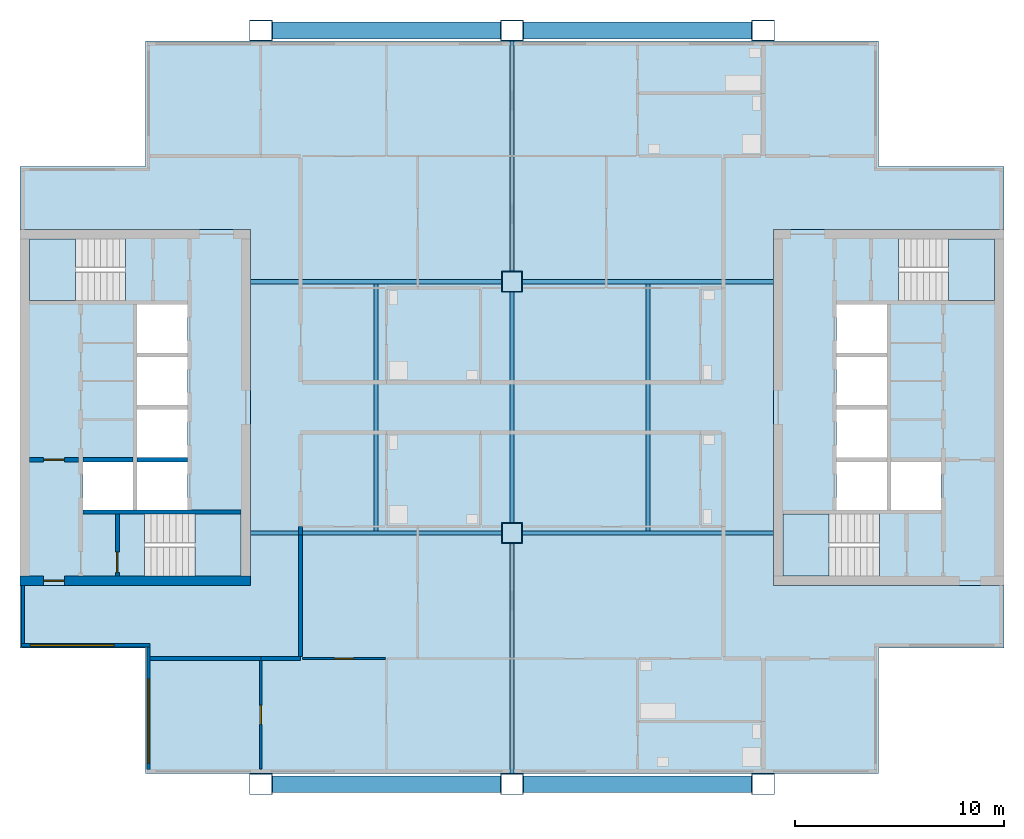
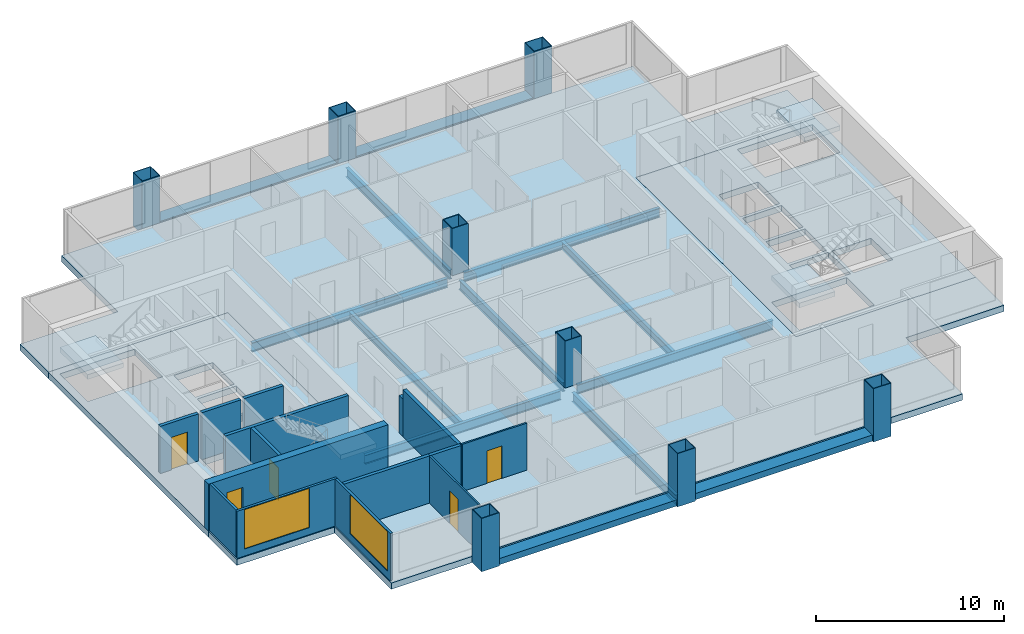
# One storey, part 1 of 8: 15 walls, 13 beams, 8 columns, 7 slabs, 5 doors, 2 windows, 7 openings, 4 elements without a shape of their own.
"""IFC4 building model written with IfcOpenShell, lengths in metres."""

from ifc_helpers import new_model, si_unit, direction, frame, frame_2d, origin, origin_2d, place, context, subcontext, project, spatial, polyline, rectangle, hollow_rectangle, i_section, outline, extrude, material, layer, layer_set, material_profile, profile_set, type_object, element, fill, aggregate, save


model = new_model("IFC4")

# Units and contexts
model_context = context("Model", 3, precision=1e-05, world=origin(), true_north=direction((0.0, 1.0)))
body_context = subcontext(model_context, "Body", "Model", "MODEL_VIEW")
ifc_project = project(units=[si_unit("LENGTHUNIT", "METRE"), si_unit("AREAUNIT", "SQUARE_METRE"), si_unit("VOLUMEUNIT", "CUBIC_METRE"), si_unit("PLANEANGLEUNIT", "RADIAN"), si_unit("MASSUNIT", "GRAM", prefix="KILO")], contexts=[model_context])

# Site, building, storey
site_placement = place(None, origin())
site = spatial("IfcSite", under=ifc_project, at=site_placement, CompositionType="ELEMENT")
building_placement = place(site_placement, origin())
building = spatial("IfcBuilding", under=site, at=building_placement, Name="Kitamizu Gate Tower and Museum", CompositionType="ELEMENT")
storey_placement = place(building_placement, frame((0.0, 0.0, 228.300048828125)))
storey = spatial("IfcBuildingStorey", under=building, at=storey_placement, Name="L61", CompositionType="ELEMENT", Elevation=228.300048828125)

# Columns
ifc_material_1 = material(Name="Steel SM490A bronze coated", Category="steel")
ifc_material_profile_1 = material_profile(ifc_material_1, hollow_rectangle(XDim=1.10009765625, YDim=1.0, WallThickness=0.0400390625, at=origin_2d()), Name="BOX 1100x1000x40")
ifc_profile_set_1 = profile_set([ifc_material_profile_1], Name="Steel SM490A bronze coated")
column_type_1 = type_object("IfcColumnType", Name="Exoskeleton column XC8 BOX 1100x1000x40", PredefinedType="COLUMN", material=ifc_profile_set_1)
for number, where, z_axis, x_axis, name in (
    (1, (24.0, 12.0, -0.400146484375), (0.0, 0.0, 1.0), (1.0, 0.0, 0.0), "Column XC8 3B L61"),
    (2, (24.0, 48.0, -0.400146484375), (0.0, 0.0, 1.0), (1.0, 0.0, 0.0), "Column XC8 3E L61"),
    (3, (36.0, 12.0, -0.400146484375), (0.0, 0.0, 1.0), (1.0, 0.0, 0.0), "Column XC8 4B L61"),
    (4, (36.0, 48.0, -0.400146484375), (0.0, 0.0, 1.0), (1.0, 0.0, 0.0), "Column XC8 4E L61"),
    (5, (48.0, 12.0, -0.400146484375), (0.0, 0.0, 1.0), (1.0, 0.0, 0.0), "Column XC8 5B L61"),
    (6, (48.0, 48.0, -0.400146484375), (0.0, 0.0, 1.0), (1.0, 0.0, 0.0), "Column XC8 5E L61"),
):
    element("IfcColumn", number, at=place(storey_placement, frame(where, z_axis=z_axis, x_axis=x_axis)), inside=storey, type_object=column_type_1, Name=name, PredefinedType="COLUMN", context=body_context, shape_type="SweptSolid", body=[
        extrude(hollow_rectangle(XDim=1.10009765625, YDim=1.0, WallThickness=0.0400390625, at=origin_2d()), origin(), (0.0, 0.0, 1.0), 3.4501953125),
    ])
ifc_material_2 = material(Name="Steel SM490A", Category="steel")
ifc_material_profile_2 = material_profile(ifc_material_2, hollow_rectangle(XDim=1.0, YDim=1.0, WallThickness=0.0400390625, at=origin_2d()), Name="BOX 1000x1000x40")
ifc_profile_set_2 = profile_set([ifc_material_profile_2], Name="Steel SM490A")
column_type_2 = type_object("IfcColumnType", Name="Interior column IC5 BOX 1000x1000x40", PredefinedType="COLUMN", material=ifc_profile_set_2)
for number, where, z_axis, x_axis, name in (
    (7, (36.0, 24.0, 0.0), (0.0, 0.0, 1.0), (1.0, 0.0, 0.0), "Column IC5 4C L61"),
    (8, (36.0, 36.0, 0.0), (0.0, 0.0, 1.0), (1.0, 0.0, 0.0), "Column IC5 4D L61"),
):
    element("IfcColumn", number, at=place(storey_placement, frame(where, z_axis=z_axis, x_axis=x_axis)), inside=storey, type_object=column_type_2, Name=name, PredefinedType="COLUMN", context=body_context, shape_type="SweptSolid", body=[
        extrude(hollow_rectangle(XDim=1.0, YDim=1.0, WallThickness=0.0400390625, at=origin_2d()), origin(), (0.0, 0.0, 1.0), 3.050048828125),
    ])

# Beams
ifc_material_3 = material(Name="Steel SM490A bronze coated", Category="steel")
ifc_material_profile_3 = material_profile(ifc_material_3, hollow_rectangle(XDim=0.800048828125, YDim=0.39990234375, WallThickness=0.0400390625, at=origin_2d()), Name="BOX 800x400x40")
ifc_profile_set_3 = profile_set([ifc_material_profile_3], Name="Steel SM490A bronze coated")
beam_type_1 = type_object("IfcBeamType", Name="Exoskeleton spandrel beam SB1 BOX 800x400x40", PredefinedType="SPANDREL", material=ifc_profile_set_3)
for number, where, z_axis, x_axis, name in (
    (9, (24.550048828125, 12.0, -0.199951171875), (1.0, 0.0, 0.0), (0.0, 1.0, 0.0), "Exoskeleton spandrel beam south 24 L61"),
    (10, (36.550048828125, 12.0, -0.199951171875), (1.0, 0.0, 0.0), (0.0, 1.0, 0.0), "Exoskeleton spandrel beam south 36 L61"),
    (11, (24.550048828125, 48.0, -0.199951171875), (1.0, 0.0, 0.0), (0.0, 1.0, 0.0), "Exoskeleton spandrel beam north 24 L61"),
    (12, (36.550048828125, 48.0, -0.199951171875), (1.0, 0.0, 0.0), (0.0, 1.0, 0.0), "Exoskeleton spandrel beam north 36 L61"),
):
    element("IfcBeam", number, at=place(storey_placement, frame(where, z_axis=z_axis, x_axis=x_axis)), inside=storey, type_object=beam_type_1, Name=name, PredefinedType="SPANDREL", context=body_context, shape_type="SweptSolid", body=[
        extrude(hollow_rectangle(XDim=0.800048828125, YDim=0.39990234375, WallThickness=0.0400390625, at=origin_2d()), origin(), (0.0, 0.0, 1.0), 10.89990234375),
    ])
ifc_material_4 = material(Name="Steel SM490A", Category="steel")
ifc_material_profile_4 = material_profile(ifc_material_4, i_section(OverallWidth=0.199951171875, OverallDepth=0.5, WebThickness=0.010009765625, FlangeThickness=0.01611328125, FilletRadius=0.02001953125, at=origin_2d()), Name="H-500x200x10x16")
ifc_profile_set_4 = profile_set([ifc_material_profile_4], Name="Steel SM490A")
beam_type_2 = type_object("IfcBeamType", Name="Floor beam FB1 H 500x200x10x16", PredefinedType="BEAM", material=ifc_profile_set_4)
for number, where, z_axis, x_axis, name in (
    (13, (29.5, 24.10009765625, -0.650146484375), (0.0, 1.0, 0.0), (-1.0, 0.0, 0.0), "Floor beam FB1 L61-1"),
    (14, (42.5, 24.10009765625, -0.650146484375), (0.0, 1.0, 0.0), (-1.0, 0.0, 0.0), "Floor beam FB1 L61-2"),
):
    element("IfcBeam", number, at=place(storey_placement, frame(where, z_axis=z_axis, x_axis=x_axis)), inside=storey, type_object=beam_type_2, Name=name, PredefinedType="BEAM", context=body_context, shape_type="SweptSolid", body=[
        extrude(i_section(OverallWidth=0.199951171875, OverallDepth=0.5, WebThickness=0.010009765625, FlangeThickness=0.01611328125, FilletRadius=0.02001953125, at=origin_2d()), origin(), (0.0, 0.0, 1.0), 11.7998046875),
    ])
ifc_material_5 = material(Name="Steel SM490A", Category="steel")
ifc_material_profile_5 = material_profile(ifc_material_5, i_section(OverallWidth=0.199951171875, OverallDepth=0.60009765625, WebThickness=0.010986328125, FlangeThickness=0.01708984375, FilletRadius=0.02197265625, at=origin_2d()), Name="H-600x200x11x17")
ifc_profile_set_5 = profile_set([ifc_material_profile_5], Name="Steel SM490A")
beam_type_3 = type_object("IfcBeamType", Name="Floor girder FG1 H 600x200x11x17", PredefinedType="BEAM", material=ifc_profile_set_5)
for number, where, z_axis, x_axis, name in (
    (15, (36.0, 12.5, -0.699951171875), (0.0, 1.0, 0.0), (-1.0, 0.0, 0.0), "Floor girder FG1 x36 L61"),
    (16, (36.0, 24.5, -0.699951171875), (0.0, 1.0, 0.0), (-1.0, 0.0, 0.0), "Floor girder FG1 x36 L61"),
    (17, (36.0, 36.5, -0.699951171875), (0.0, 1.0, 0.0), (-1.0, 0.0, 0.0), "Floor girder FG1 x36 L61"),
):
    element("IfcBeam", number, at=place(storey_placement, frame(where, z_axis=z_axis, x_axis=x_axis)), inside=storey, type_object=beam_type_3, Name=name, PredefinedType="BEAM", context=body_context, shape_type="SweptSolid", body=[
        extrude(i_section(OverallWidth=0.199951171875, OverallDepth=0.60009765625, WebThickness=0.010986328125, FlangeThickness=0.01708984375, FilletRadius=0.02197265625, at=origin_2d()), origin(), (0.0, 0.0, 1.0), 11.0),
    ])
for number, where, z_axis, x_axis, name in (
    (18, (23.5, 24.0, -0.699951171875), (1.0, 0.0, 0.0), (0.0, 1.0, 0.0), "Floor girder FG1 y24 L61"),
    (19, (36.5, 24.0, -0.699951171875), (1.0, 0.0, 0.0), (0.0, 1.0, 0.0), "Floor girder FG1 y24 L61"),
    (20, (23.5, 36.0, -0.699951171875), (1.0, 0.0, 0.0), (0.0, 1.0, 0.0), "Floor girder FG1 y36 L61"),
    (21, (36.5, 36.0, -0.699951171875), (1.0, 0.0, 0.0), (0.0, 1.0, 0.0), "Floor girder FG1 y36 L61"),
):
    element("IfcBeam", number, at=place(storey_placement, frame(where, z_axis=z_axis, x_axis=x_axis)), inside=storey, type_object=beam_type_3, Name=name, PredefinedType="BEAM", context=body_context, shape_type="SweptSolid", body=[
        extrude(i_section(OverallWidth=0.199951171875, OverallDepth=0.60009765625, WebThickness=0.010986328125, FlangeThickness=0.01708984375, FilletRadius=0.02197265625, at=origin_2d()), origin(), (0.0, 0.0, 1.0), 12.0),
    ])

# Slabs
ifc_material_6 = material(Name="Concrete Fc36", Category="concrete")
ifc_layer_1 = layer(ifc_material_6, 0.39990234375)
ifc_layer_set_1 = layer_set([ifc_layer_1], Name="Concrete Fc36")
slab_type_1 = type_object("IfcSlabType", Name="Core floor slab 400", PredefinedType="FLOOR", material=ifc_layer_set_1)
slab_1_placement = place(storey_placement, frame((0.0, 0.0, -0.400146484375)))
element("IfcSlab", 22, at=slab_1_placement, inside=storey, type_object=slab_type_1, Name="Core floor slab W", PredefinedType="FLOOR", context=body_context, shape_type="SweptSolid", body=[
    extrude(outline(polyline([(12.5, 21.5), (23.5, 21.5), (23.5, 38.5), (12.5, 38.5), (12.5, 21.5)]), holes=[polyline([(15.5, 25.10009765625), (17.89990234375, 25.10009765625), (17.89990234375, 27.39990234375), (15.5, 27.39990234375), (15.5, 25.10009765625)]), polyline([(18.10009765625, 25.10009765625), (20.5, 25.10009765625), (20.5, 27.39990234375), (18.10009765625, 27.39990234375), (18.10009765625, 25.10009765625)]), polyline([(18.10009765625, 27.60009765625), (20.5, 27.60009765625), (20.5, 29.89990234375), (18.10009765625, 29.89990234375), (18.10009765625, 27.60009765625)]), polyline([(18.10009765625, 30.10009765625), (20.5, 30.10009765625), (20.5, 32.39990234375), (18.10009765625, 32.39990234375), (18.10009765625, 30.10009765625)]), polyline([(18.10009765625, 32.60009765625), (20.5, 32.60009765625), (20.5, 34.89990234375), (18.10009765625, 34.89990234375), (18.10009765625, 32.60009765625)]), polyline([(18.45068359375, 21.949951171875), (23.050048828125, 21.949951171875), (23.050048828125, 24.89990234375), (18.45068359375, 24.89990234375), (18.45068359375, 21.949951171875)]), polyline([(12.949951171875, 35.10009765625), (17.54931640625, 35.10009765625), (17.54931640625, 38.050048828125), (12.949951171875, 38.050048828125), (12.949951171875, 35.10009765625)])]), origin(), (0.0, 0.0, 1.0), 0.400146484375),
])
slab_2_placement = place(storey_placement, frame((0.0, 0.0, -0.400146484375)))
element("IfcSlab", 23, at=slab_2_placement, inside=storey, type_object=slab_type_1, Name="Core floor slab E", PredefinedType="FLOOR", context=body_context, shape_type="SweptSolid", body=[
    extrude(outline(polyline([(48.5, 21.5), (59.5, 21.5), (59.5, 38.5), (48.5, 38.5), (48.5, 21.5)]), holes=[polyline([(54.10009765625, 25.10009765625), (56.5, 25.10009765625), (56.5, 27.39990234375), (54.10009765625, 27.39990234375), (54.10009765625, 25.10009765625)]), polyline([(51.5, 25.10009765625), (53.89990234375, 25.10009765625), (53.89990234375, 27.39990234375), (51.5, 27.39990234375), (51.5, 25.10009765625)]), polyline([(51.5, 27.60009765625), (53.89990234375, 27.60009765625), (53.89990234375, 29.89990234375), (51.5, 29.89990234375), (51.5, 27.60009765625)]), polyline([(51.5, 30.10009765625), (53.89990234375, 30.10009765625), (53.89990234375, 32.39990234375), (51.5, 32.39990234375), (51.5, 30.10009765625)]), polyline([(51.5, 32.60009765625), (53.89990234375, 32.60009765625), (53.89990234375, 34.89990234375), (51.5, 34.89990234375), (51.5, 32.60009765625)]), polyline([(48.949951171875, 21.949951171875), (53.54931640625, 21.949951171875), (53.54931640625, 24.89990234375), (48.949951171875, 24.89990234375), (48.949951171875, 21.949951171875)]), polyline([(54.45068359375, 35.10009765625), (59.050048828125, 35.10009765625), (59.050048828125, 38.050048828125), (54.45068359375, 38.050048828125), (54.45068359375, 35.10009765625)])]), origin(), (0.0, 0.0, 1.0), 0.400146484375),
])
ifc_material_7 = material(Name="Concrete Fc36", Category="concrete")
ifc_layer_2 = layer(ifc_material_7, 0.39990234375)
ifc_layer_set_2 = layer_set([ifc_layer_2], Name="Concrete Fc36")
slab_type_2 = type_object("IfcSlabType", Name="Post tensioned flat slab 400", PredefinedType="FLOOR", material=ifc_layer_set_2)
slab_3_placement = place(storey_placement, frame((0.0, 0.0, -0.400146484375)))
element("IfcSlab", 24, at=slab_3_placement, inside=storey, type_object=slab_type_2, Name="Floor slab L61-1", PredefinedType="FLOOR", context=body_context, shape_type="SweptSolid", body=[
    extrude(outline(polyline([(12.5, 18.5), (12.5, 21.5), (23.5, 21.5), (23.5, 38.5), (12.5, 38.5), (12.5, 41.5), (18.5, 41.5), (18.5, 47.5), (53.5, 47.5), (53.5, 41.5), (59.5, 41.5), (59.5, 38.5), (48.5, 38.5), (48.5, 21.5), (59.5, 21.5), (59.5, 18.5), (53.5, 18.5), (53.5, 12.5), (18.5, 12.5), (18.5, 18.5), (12.5, 18.5)])), origin(), (0.0, 0.0, 1.0), 0.400146484375),
])

# Stair, slab
ifc_material_8 = material(Name="Concrete Fc42", Category="concrete")
stair_type = type_object("IfcStairType", Name="Exit stair 1375 wide 192 rise 300 going", PredefinedType="HALF_TURN_STAIR", material=ifc_material_8)
stair_1_placement = place(storey_placement, origin())
stair_1 = element("IfcStair", 25, at=stair_1_placement, inside=storey, type_object=stair_type, Name="Exit stair ST1", PredefinedType="HALF_TURN_STAIR")
ifc_material_9 = material(Name="Concrete Fc42", Category="concrete")
ifc_layer_3 = layer(ifc_material_9, 0.300048828125)
ifc_layer_set_3 = layer_set([ifc_layer_3], Name="Concrete Fc42")
slab_type_3 = type_object("IfcSlabType", Name="Stair landing 300", PredefinedType="LANDING", material=ifc_layer_set_3)
slab_4_placement = place(storey_placement, frame((0.0, 0.0, 1.425048828125)))
slab_4 = element("IfcSlab", 26, at=slab_4_placement, type_object=slab_type_3, Name="ST1 landing 1", PredefinedType="LANDING", context=body_context, shape_type="SweptSolid", body=[
    extrude(outline(polyline([(20.85009765625, 21.949951171875), (23.050048828125, 21.949951171875), (23.050048828125, 24.89990234375), (20.85009765625, 24.89990234375), (20.85009765625, 21.949951171875)])), origin(), (0.0, 0.0, 1.0), 0.2998046875),
])
aggregate(stair_1, [slab_4])

stair_2_placement = place(storey_placement, origin())
stair_2 = element("IfcStair", 27, at=stair_2_placement, inside=storey, type_object=stair_type, Name="Exit stair ST2", PredefinedType="HALF_TURN_STAIR")
slab_5_placement = place(storey_placement, frame((0.0, 0.0, 1.425048828125)))
slab_5 = element("IfcSlab", 28, at=slab_5_placement, type_object=slab_type_3, Name="ST2 landing 1", PredefinedType="LANDING", context=body_context, shape_type="SweptSolid", body=[
    extrude(outline(polyline([(12.949951171875, 35.10009765625), (15.14990234375, 35.10009765625), (15.14990234375, 38.050048828125), (12.949951171875, 38.050048828125), (12.949951171875, 35.10009765625)])), origin(), (0.0, 0.0, 1.0), 0.2998046875),
])
aggregate(stair_2, [slab_5])

stair_3_placement = place(storey_placement, origin())
stair_3 = element("IfcStair", 29, at=stair_3_placement, inside=storey, type_object=stair_type, Name="Exit stair ST3", PredefinedType="HALF_TURN_STAIR")
slab_6_placement = place(storey_placement, frame((0.0, 0.0, 1.425048828125)))
slab_6 = element("IfcSlab", 30, at=slab_6_placement, type_object=slab_type_3, Name="ST3 landing 1", PredefinedType="LANDING", context=body_context, shape_type="SweptSolid", body=[
    extrude(outline(polyline([(48.949951171875, 21.949951171875), (51.14990234375, 21.949951171875), (51.14990234375, 24.89990234375), (48.949951171875, 24.89990234375), (48.949951171875, 21.949951171875)])), origin(), (0.0, 0.0, 1.0), 0.2998046875),
])
aggregate(stair_3, [slab_6])

stair_4_placement = place(storey_placement, origin())
stair_4 = element("IfcStair", 31, at=stair_4_placement, inside=storey, type_object=stair_type, Name="Exit stair ST4", PredefinedType="HALF_TURN_STAIR")
slab_7_placement = place(storey_placement, frame((0.0, 0.0, 1.425048828125)))
slab_7 = element("IfcSlab", 32, at=slab_7_placement, type_object=slab_type_3, Name="ST4 landing 1", PredefinedType="LANDING", context=body_context, shape_type="SweptSolid", body=[
    extrude(outline(polyline([(56.85009765625, 35.10009765625), (59.050048828125, 35.10009765625), (59.050048828125, 38.050048828125), (56.85009765625, 38.050048828125), (56.85009765625, 35.10009765625)])), origin(), (0.0, 0.0, 1.0), 0.2998046875),
])
aggregate(stair_4, [slab_7])

# Wall, opening, door
ifc_material_10 = material(Name="Concrete Fc42", Category="concrete")
ifc_layer_4 = layer(ifc_material_10, 0.449951171875)
ifc_layer_set_4 = layer_set([ifc_layer_4], Name="Concrete Fc42")
wall_type_1 = type_object("IfcWallType", Name="Core wall 450", PredefinedType="SHEAR", material=ifc_layer_set_4)
wall_1_placement = place(storey_placement, frame((12.5, 21.72509765625, 0.0), z_axis=(0.0, 0.0, 1.0), x_axis=(1.0, 0.0, 0.0)))
wall_1 = element("IfcWall", 33, at=wall_1_placement, inside=storey, type_object=wall_type_1, Name="Core wall WS", PredefinedType="SHEAR", context=body_context, shape_type="SweptSolid", body=[
    extrude(rectangle(XDim=11.0, YDim=0.449951171875, at=frame_2d((5.5, 0.0))), origin(), (0.0, 0.0, 1.0), 3.050048828125),
])
opening_1_placement = place(wall_1_placement, frame((1.125, 0.0, 0.0)))
opening_1 = element("IfcOpeningElement", 34, at=opening_1_placement, cuts=wall_1, Name="Opening L61-035", PredefinedType="OPENING", context=body_context, shape_type="SweptSolid", body=[
    extrude(rectangle(XDim=1.0, YDim=2.10009765625, at=frame_2d((0.5, 1.050048828125))), frame((0.0, 0.23486328125, 0.0), z_axis=(0.0, -1.0, 0.0), x_axis=(1.0, 0.0, 0.0)), (0.0, 0.0, 1.0), 0.469970703125),
])
ifc_material_11 = material(Name="Hollow metal door set")
door_type_1 = type_object("IfcDoorType", Name="Fire door 1000", OperationType="NOTDEFINED", PredefinedType="DOOR", material=ifc_material_11)
door_1_placement = place(opening_1_placement, origin())
door_1 = element("IfcDoor", 35, at=door_1_placement, inside=storey, type_object=door_type_1, Name="Fire-fighting lobby door L61-035", OperationType="SINGLE_SWING_RIGHT", OverallHeight=2.10009765625, OverallWidth=1.0, PredefinedType="DOOR", context=body_context, shape_type="SweptSolid", body=[
    extrude(rectangle(XDim=1.0, YDim=2.10009765625, at=frame_2d((0.5, 1.050048828125))), frame((0.0, 0.02490234375, 0.0), z_axis=(0.0, -1.0, 0.0), x_axis=(1.0, 0.0, 0.0)), (0.0, 0.0, 1.0), 0.050048828125),
])
fill(opening_1, door_1)

ifc_material_12 = material(Name="Gypsum board on galvanised stud")
ifc_layer_5 = layer(ifc_material_12, 0.10009765625)
ifc_layer_set_5 = layer_set([ifc_layer_5], Name="Gypsum board on galvanised stud")
wall_type_2 = type_object("IfcWallType", Name="Partition 100 NOT RATED", PredefinedType="PARTITIONING", material=ifc_layer_set_5)
wall_2_placement = place(storey_placement, frame((24.0, 12.719970703125, 0.0), z_axis=(0.0, 0.0, 1.0), x_axis=(0.0, 1.0, 0.0)))
wall_2 = element("IfcWall", 36, at=wall_2_placement, inside=storey, type_object=wall_type_2, Name="Partition L61-001", PredefinedType="PARTITIONING", context=body_context, shape_type="SweptSolid", body=[
    extrude(rectangle(XDim=5.179931640625, YDim=0.10009765625, at=frame_2d((2.58984375, 0.0))), origin(), (0.0, 0.0, 1.0), 3.050048828125),
])
opening_2_placement = place(wall_2_placement, frame((2.139892578125, 0.0, 0.0)))
opening_2 = element("IfcOpeningElement", 37, at=opening_2_placement, cuts=wall_2, Name="Opening L61-006", PredefinedType="OPENING", context=body_context, shape_type="SweptSolid", body=[
    extrude(rectangle(XDim=0.89990234375, YDim=2.10009765625, at=frame_2d((0.449951171875, 1.050048828125))), frame((0.0, 0.06005859375, 0.0), z_axis=(0.0, -1.0, 0.0), x_axis=(1.0, 0.0, 0.0)), (0.0, 0.0, 1.0), 0.1201171875),
])
ifc_material_13 = material(Name="Timber door set", Category="wood")
door_type_2 = type_object("IfcDoorType", Name="Room door 900", OperationType="NOTDEFINED", PredefinedType="DOOR", material=ifc_material_13)
door_2_placement = place(opening_2_placement, origin())
door_2 = element("IfcDoor", 38, at=door_2_placement, inside=storey, type_object=door_type_2, Name="Door L61-006", OperationType="SINGLE_SWING_LEFT", OverallHeight=2.10009765625, OverallWidth=0.89990234375, PredefinedType="DOOR", context=body_context, shape_type="SweptSolid", body=[
    extrude(rectangle(XDim=0.89990234375, YDim=2.10009765625, at=frame_2d((0.449951171875, 1.050048828125))), frame((0.0, 0.02490234375, 0.0), z_axis=(0.0, -1.0, 0.0), x_axis=(1.0, 0.0, 0.0)), (0.0, 0.0, 1.0), 0.050048828125),
])
fill(opening_2, door_2)

wall_3_placement = place(storey_placement, frame((29.949951171875, 18.0, 0.0), z_axis=(0.0, 0.0, 1.0), x_axis=(-1.0, 0.0, 0.0)))
wall_3 = element("IfcWall", 39, at=wall_3_placement, inside=storey, type_object=wall_type_2, Name="Partition L61-004", PredefinedType="PARTITIONING", context=body_context, shape_type="SweptSolid", body=[
    extrude(rectangle(XDim=3.949951171875, YDim=0.10009765625, at=frame_2d((1.97509765625, 0.0))), origin(), (0.0, 0.0, 1.0), 3.050048828125),
])
opening_3_placement = place(wall_3_placement, frame((1.52490234375, 0.0, 0.0)))
opening_3 = element("IfcOpeningElement", 40, at=opening_3_placement, cuts=wall_3, Name="Opening L61-003", PredefinedType="OPENING", context=body_context, shape_type="SweptSolid", body=[
    extrude(rectangle(XDim=0.89990234375, YDim=2.10009765625, at=frame_2d((0.449951171875, 1.050048828125))), frame((0.0, 0.06005859375, 0.0), z_axis=(0.0, -1.0, 0.0), x_axis=(1.0, 0.0, 0.0)), (0.0, 0.0, 1.0), 0.1201171875),
])
door_3_placement = place(opening_3_placement, origin())
door_3 = element("IfcDoor", 41, at=door_3_placement, inside=storey, type_object=door_type_2, Name="Door L61-003", OperationType="SINGLE_SWING_RIGHT", OverallHeight=2.10009765625, OverallWidth=0.89990234375, PredefinedType="DOOR", context=body_context, shape_type="SweptSolid", body=[
    extrude(rectangle(XDim=0.89990234375, YDim=2.10009765625, at=frame_2d((0.449951171875, 1.050048828125))), frame((0.0, 0.02490234375, 0.0), z_axis=(0.0, -1.0, 0.0), x_axis=(1.0, 0.0, 0.0)), (0.0, 0.0, 1.0), 0.050048828125),
])
fill(opening_3, door_3)

# Walls
ifc_material_14 = material(Name="Gypsum board on galvanised stud")
ifc_layer_6 = layer(ifc_material_14, 0.199951171875)
ifc_layer_set_6 = layer_set([ifc_layer_6], Name="Gypsum board on galvanised stud")
wall_type_3 = type_object("IfcWallType", Name="Partition 200", PredefinedType="PARTITIONING", material=ifc_layer_set_6)
wall_4_placement = place(storey_placement, frame((24.0, 18.0, 0.0), z_axis=(0.0, 0.0, 1.0), x_axis=(-1.0, 0.0, 0.0)))
element("IfcWall", 42, at=wall_4_placement, inside=storey, type_object=wall_type_3, Name="Partition L61-002", PredefinedType="PARTITIONING", context=body_context, shape_type="SweptSolid", body=[
    extrude(rectangle(XDim=5.280029296875, YDim=0.199951171875, at=frame_2d((2.64013671875, 0.0))), origin(), (0.0, 0.0, 1.0), 3.050048828125),
])
wall_5_placement = place(storey_placement, frame((25.89990234375, 18.0, 0.0), z_axis=(0.0, 0.0, 1.0), x_axis=(-1.0, 0.0, 0.0)))
element("IfcWall", 43, at=wall_5_placement, inside=storey, type_object=wall_type_3, Name="Partition L61-005", PredefinedType="PARTITIONING", context=body_context, shape_type="SweptSolid", body=[
    extrude(rectangle(XDim=1.89990234375, YDim=0.199951171875, at=frame_2d((0.949951171875, 0.0))), origin(), (0.0, 0.0, 1.0), 3.050048828125),
])
wall_6_placement = place(storey_placement, frame((25.89990234375, 24.300048828125, 0.0), z_axis=(0.0, 0.0, 1.0), x_axis=(0.0, -1.0, 0.0)))
element("IfcWall", 44, at=wall_6_placement, inside=storey, type_object=wall_type_3, Name="Partition L61-020", PredefinedType="PARTITIONING", context=body_context, shape_type="SweptSolid", body=[
    extrude(rectangle(XDim=0.400146484375, YDim=0.199951171875, at=frame_2d((0.2001953125, 0.0))), origin(), (0.0, 0.0, 1.0), 2.449951171875),
])
wall_7_placement = place(storey_placement, frame((25.89990234375, 23.89990234375, 0.0), z_axis=(0.0, 0.0, 1.0), x_axis=(0.0, -1.0, 0.0)))
element("IfcWall", 45, at=wall_7_placement, inside=storey, type_object=wall_type_3, Name="Partition L61-021", PredefinedType="PARTITIONING", context=body_context, shape_type="SweptSolid", body=[
    extrude(rectangle(XDim=5.7998046875, YDim=0.199951171875, at=frame_2d((2.89990234375, 0.0))), origin(), (0.0, 0.0, 1.0), 3.050048828125),
])
ifc_material_15 = material(Name="Concrete Fc42", Category="concrete")
ifc_layer_7 = layer(ifc_material_15, 0.199951171875)
ifc_layer_set_7 = layer_set([ifc_layer_7], Name="Concrete Fc42")
wall_type_4 = type_object("IfcWallType", Name="Shaft wall 200", PredefinedType="SOLIDWALL", material=ifc_layer_set_7)
wall_8_placement = place(storey_placement, frame((15.5, 25.0, 0.0), z_axis=(0.0, 0.0, 1.0), x_axis=(1.0, 0.0, 0.0)))
element("IfcWall", 46, at=wall_8_placement, inside=storey, type_object=wall_type_4, Name="Shaft wall WSB", PredefinedType="SOLIDWALL", context=body_context, shape_type="SweptSolid", body=[
    extrude(rectangle(XDim=7.550048828125, YDim=0.199951171875, at=frame_2d((3.77490234375, 0.0))), origin(), (0.0, 0.0, 1.0), 3.050048828125),
])

# Wall, opening, door
wall_9_placement = place(storey_placement, frame((12.949951171875, 27.5, 0.0), z_axis=(0.0, 0.0, 1.0), x_axis=(1.0, 0.0, 0.0)))
wall_9 = element("IfcWall", 47, at=wall_9_placement, inside=storey, type_object=wall_type_4, Name="Shaft wall WFFN", PredefinedType="SOLIDWALL", context=body_context, shape_type="SweptSolid", body=[
    extrude(rectangle(XDim=2.35009765625, YDim=0.199951171875, at=frame_2d((1.175048828125, 0.0))), origin(), (0.0, 0.0, 1.0), 3.050048828125),
])
opening_4_placement = place(wall_9_placement, frame((0.675048828125, 0.0, 0.0)))
opening_4 = element("IfcOpeningElement", 48, at=opening_4_placement, cuts=wall_9, Name="Opening L61-034", PredefinedType="OPENING", context=body_context, shape_type="SweptSolid", body=[
    extrude(rectangle(XDim=1.0, YDim=2.10009765625, at=frame_2d((0.5, 1.050048828125))), frame((0.0, 0.10986328125, 0.0), z_axis=(0.0, -1.0, 0.0), x_axis=(1.0, 0.0, 0.0)), (0.0, 0.0, 1.0), 0.219970703125),
])
door_4_placement = place(opening_4_placement, frame((1.0, 0.0, 0.0), x_axis=(-1.0, 0.0, 0.0)))
door_4 = element("IfcDoor", 49, at=door_4_placement, inside=storey, type_object=door_type_1, Name="Fire-fighting lobby door L61-034", OperationType="SINGLE_SWING_RIGHT", OverallHeight=2.10009765625, OverallWidth=1.0, PredefinedType="DOOR", context=body_context, shape_type="SweptSolid", body=[
    extrude(rectangle(XDim=1.0, YDim=2.10009765625, at=frame_2d((0.5, 1.050048828125))), frame((0.0, 0.02490234375, 0.0), z_axis=(0.0, -1.0, 0.0), x_axis=(1.0, 0.0, 0.0)), (0.0, 0.0, 1.0), 0.050048828125),
])
fill(opening_4, door_4)

wall_10_placement = place(storey_placement, frame((17.14990234375, 21.949951171875, 0.0), z_axis=(0.0, 0.0, 1.0), x_axis=(0.0, 1.0, 0.0)))
wall_10 = element("IfcWall", 50, at=wall_10_placement, inside=storey, type_object=wall_type_4, Name="Shaft wall WSZ", PredefinedType="SOLIDWALL", context=body_context, shape_type="SweptSolid", body=[
    extrude(rectangle(XDim=2.949951171875, YDim=0.199951171875, at=frame_2d((1.47509765625, 0.0))), origin(), (0.0, 0.0, 1.0), 3.050048828125),
])
opening_5_placement = place(wall_10_placement, frame((0.14990234375, 0.0, 0.0)))
opening_5 = element("IfcOpeningElement", 51, at=opening_5_placement, cuts=wall_10, Name="Opening L61-030", PredefinedType="OPENING", context=body_context, shape_type="SweptSolid", body=[
    extrude(rectangle(XDim=1.0, YDim=2.10009765625, at=frame_2d((0.5, 1.050048828125))), frame((0.0, 0.10986328125, 0.0), z_axis=(0.0, -1.0, 0.0), x_axis=(1.0, 0.0, 0.0)), (0.0, 0.0, 1.0), 0.219970703125),
])
door_5_placement = place(opening_5_placement, frame((1.0, 0.0, 0.0), x_axis=(-1.0, 0.0, 0.0)))
door_5 = element("IfcDoor", 52, at=door_5_placement, inside=storey, type_object=door_type_1, Name="Stair door L61-030", OperationType="SINGLE_SWING_LEFT", OverallHeight=2.10009765625, OverallWidth=1.0, PredefinedType="DOOR", context=body_context, shape_type="SweptSolid", body=[
    extrude(rectangle(XDim=1.0, YDim=2.10009765625, at=frame_2d((0.5, 1.050048828125))), frame((0.0, 0.02490234375, 0.0), z_axis=(0.0, -1.0, 0.0), x_axis=(1.0, 0.0, 0.0)), (0.0, 0.0, 1.0), 0.050048828125),
])
fill(opening_5, door_5)

# Walls
for number, where, z_axis, x_axis, name in (
    (53, (15.5, 27.5, 0.0), (0.0, 0.0, 1.0), (1.0, 0.0, 0.0), "Shaft wall WDVW0"),
    (54, (18.10009765625, 27.5, 0.0), (0.0, 0.0, 1.0), (1.0, 0.0, 0.0), "Shaft wall WDVE0"),
):
    element("IfcWall", number, at=place(storey_placement, frame(where, z_axis=z_axis, x_axis=x_axis)), inside=storey, type_object=wall_type_4, Name=name, PredefinedType="SOLIDWALL", context=body_context, shape_type="SweptSolid", body=[
        extrude(rectangle(XDim=2.39990234375, YDim=0.199951171875, at=frame_2d((1.199951171875, 0.0))), origin(), (0.0, 0.0, 1.0), 3.050048828125),
    ])
ifc_material_16 = material(Name="Bronze anodised aluminium frame with insulated spandrel and tinted glass", Category="aluminium")
ifc_layer_8 = layer(ifc_material_16, 0.14990234375)
ifc_layer_set_8 = layer_set([ifc_layer_8], Name="Bronze anodised aluminium frame with insulated spandrel and tinted glass")
wall_type_5 = type_object("IfcWallType", Name="WINDOW WALL 150 BRONZE FRAME EI 30", PredefinedType="ELEMENTEDWALL", material=ifc_layer_set_8)
wall_11_placement = place(storey_placement, frame((12.635009765625, 18.7099609375, 0.0), z_axis=(0.0, 0.0, 1.0), x_axis=(0.0, 1.0, 0.0)))
element("IfcWall", 55, at=wall_11_placement, inside=storey, type_object=wall_type_5, Name="Window wall west L61", PredefinedType="ELEMENTEDWALL", context=body_context, shape_type="SweptSolid", body=[
    extrude(rectangle(XDim=2.7900390625, YDim=0.14990234375, at=frame_2d((1.39501953125, 0.0))), origin(), (0.0, 0.0, 1.0), 3.050048828125),
])

# Wall, opening, window
wall_12_placement = place(storey_placement, frame((12.56005859375, 18.635009765625, 0.0), z_axis=(0.0, 0.0, 1.0), x_axis=(1.0, 0.0, 0.0)))
wall_12 = element("IfcWall", 56, at=wall_12_placement, inside=storey, type_object=wall_type_5, Name="Window wall south L61", PredefinedType="ELEMENTEDWALL", context=body_context, shape_type="SweptSolid", body=[
    extrude(rectangle(XDim=6.14990234375, YDim=0.14990234375, at=frame_2d((3.074951171875, 0.0))), origin(), (0.0, 0.0, 1.0), 3.050048828125),
])
opening_6_placement = place(wall_12_placement, frame((0.43994140625, 0.0, 0.449951171875)))
opening_6 = element("IfcOpeningElement", 57, at=opening_6_placement, cuts=wall_12, Name="Opening W16", PredefinedType="OPENING", context=body_context, shape_type="SweptSolid", body=[
    extrude(rectangle(XDim=4.0, YDim=2.550048828125, at=frame_2d((2.0, 1.27490234375))), frame((0.0, 0.0849609375, 0.0), z_axis=(0.0, -1.0, 0.0), x_axis=(1.0, 0.0, 0.0)), (0.0, 0.0, 1.0), 0.169921875),
])
ifc_material_17 = material(Name="Bronze anodised aluminium frame, tinted triple glazing", Category="aluminium")
window_type = type_object("IfcWindowType", Name="WINDOW 4000 x 2550 SILL 450", PartitioningType="SINGLE_PANEL", PredefinedType="WINDOW", material=ifc_material_17)
window_1_placement = place(opening_6_placement, origin())
window_1 = element("IfcWindow", 58, at=window_1_placement, inside=storey, type_object=window_type, Name="Window W16 L61", OverallHeight=2.550048828125, OverallWidth=4.0, PartitioningType="SINGLE_PANEL", PredefinedType="WINDOW", context=body_context, shape_type="SweptSolid", body=[
    extrude(rectangle(XDim=4.0, YDim=2.550048828125, at=frame_2d((2.0, 1.27490234375))), frame((0.0, 0.030029296875, 0.0), z_axis=(0.0, -1.0, 0.0), x_axis=(1.0, 0.0, 0.0)), (0.0, 0.0, 1.0), 0.06005859375),
])
fill(opening_6, window_1)

wall_13_placement = place(storey_placement, frame((18.635009765625, 12.7099609375, 0.0), z_axis=(0.0, 0.0, 1.0), x_axis=(0.0, 1.0, 0.0)))
wall_13 = element("IfcWall", 59, at=wall_13_placement, inside=storey, type_object=wall_type_5, Name="Window wall west L61", PredefinedType="ELEMENTEDWALL", context=body_context, shape_type="SweptSolid", body=[
    extrude(rectangle(XDim=5.85009765625, YDim=0.14990234375, at=frame_2d((2.925048828125, 0.0))), origin(), (0.0, 0.0, 1.0), 3.050048828125),
])
opening_7_placement = place(wall_13_placement, frame((0.2900390625, 0.0, 0.449951171875)))
opening_7 = element("IfcOpeningElement", 60, at=opening_7_placement, cuts=wall_13, Name="Opening W16", PredefinedType="OPENING", context=body_context, shape_type="SweptSolid", body=[
    extrude(rectangle(XDim=4.0, YDim=2.550048828125, at=frame_2d((2.0, 1.27490234375))), frame((0.0, 0.0849609375, 0.0), z_axis=(0.0, -1.0, 0.0), x_axis=(1.0, 0.0, 0.0)), (0.0, 0.0, 1.0), 0.169921875),
])
window_2_placement = place(opening_7_placement, origin())
window_2 = element("IfcWindow", 61, at=window_2_placement, inside=storey, type_object=window_type, Name="Window W16 L61", OverallHeight=2.550048828125, OverallWidth=4.0, PartitioningType="SINGLE_PANEL", PredefinedType="WINDOW", context=body_context, shape_type="SweptSolid", body=[
    extrude(rectangle(XDim=4.0, YDim=2.550048828125, at=frame_2d((2.0, 1.27490234375))), frame((0.0, 0.030029296875, 0.0), z_axis=(0.0, -1.0, 0.0), x_axis=(1.0, 0.0, 0.0)), (0.0, 0.0, 1.0), 0.06005859375),
])
fill(opening_7, window_2)

save(model, "model.ifc")
